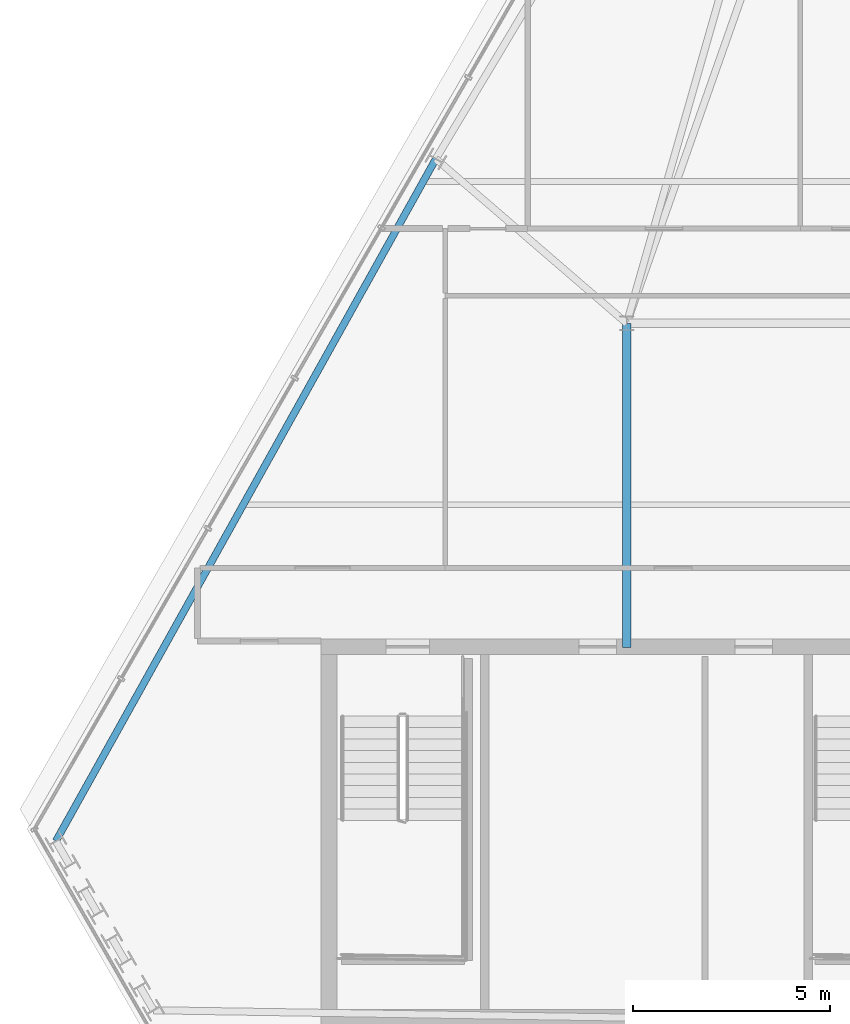
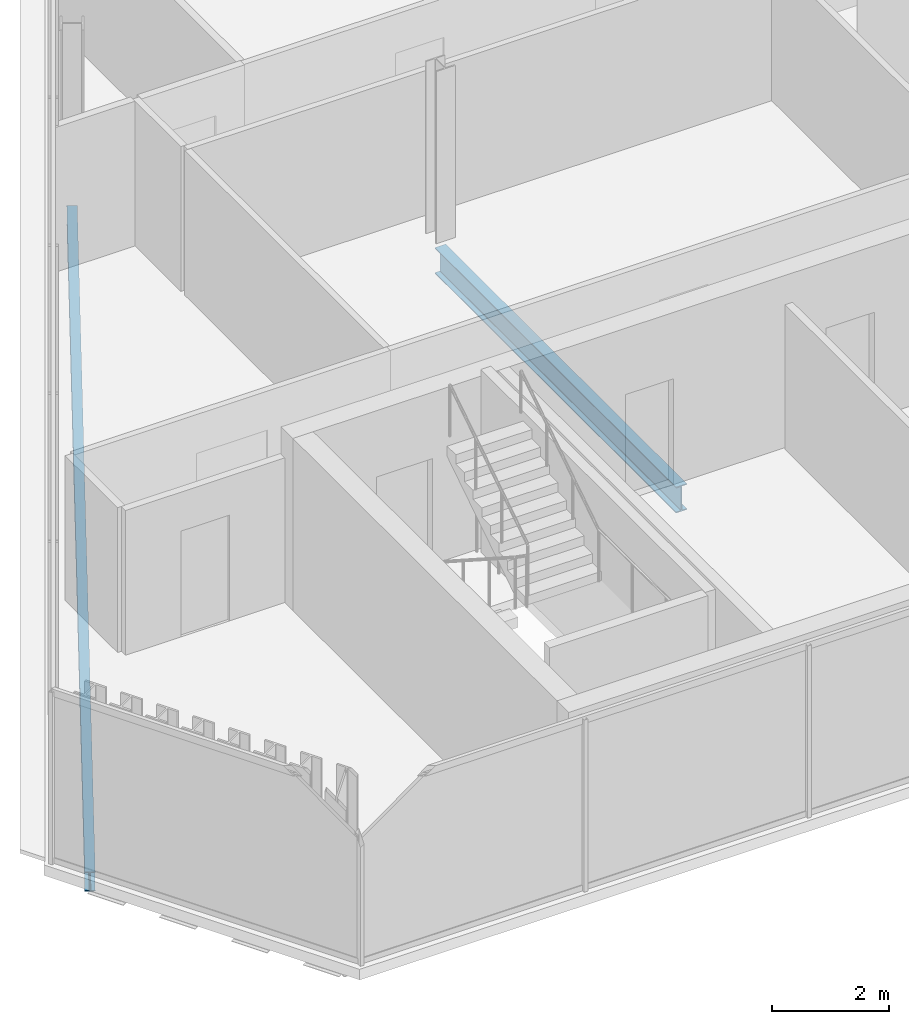
# One storey, part 6 of 32: 2 beams.
"""IFC4 building model written with IfcOpenShell, lengths in metres."""

from ifc_helpers import new_model, si_unit, direction, frame, origin, origin_2d, place, context, subcontext, project, spatial, i_section, extrude, material, material_profile, profile_set, type_object, element, save


model = new_model("IFC4")

# Units and contexts
model_context = context("Model", 3, precision=1e-05, world=origin(), true_north=direction((0.0, 1.0)))
body_context = subcontext(model_context, "Body", "Model", "MODEL_VIEW")
ifc_project = project(units=[si_unit("LENGTHUNIT", "METRE"), si_unit("AREAUNIT", "SQUARE_METRE"), si_unit("VOLUMEUNIT", "CUBIC_METRE"), si_unit("PLANEANGLEUNIT", "RADIAN"), si_unit("MASSUNIT", "GRAM", prefix="KILO")], contexts=[model_context])

# Site, building, storey
site_placement = place(None, origin())
site = spatial("IfcSite", under=ifc_project, at=site_placement, CompositionType="ELEMENT")
building_placement = place(site_placement, origin())
building = spatial("IfcBuilding", under=site, at=building_placement, Name="Ndaravel Arena Tower", CompositionType="ELEMENT")
storey_placement = place(building_placement, frame((0.0, 0.0, 252.199951171875)))
storey = spatial("IfcBuildingStorey", under=building, at=storey_placement, Name="L61", CompositionType="ELEMENT", Elevation=252.199951171875)

# Beams
ifc_material_1 = material(Name="Steel S355", Category="steel")
ifc_material_profile_1 = material_profile(ifc_material_1, i_section(OverallWidth=0.210693359375, OverallDepth=0.53955078125, WebThickness=0.01171875, FlangeThickness=0.018798828125, FilletRadius=0.0126953125, at=origin_2d()), Name="UB 533x210x109")
ifc_profile_set_1 = profile_set([ifc_material_profile_1], Name="Steel S355")
beam_type_1 = type_object("IfcBeamType", Name="BM-GIRD-UB533", PredefinedType="BEAM", material=ifc_profile_set_1)
beam_1_placement = place(storey_placement, frame((34.199951171875, 14.97998046875, -0.48974609375), z_axis=(0.0, 1.0, 0.0), x_axis=(-1.0, 0.0, 0.0)))
element("IfcBeam", 1, at=beam_1_placement, inside=storey, type_object=beam_type_1, Name="L61 Spine Link Girder SLG-01", PredefinedType="BEAM", context=body_context, shape_type="SweptSolid", body=[
    extrude(i_section(OverallWidth=0.210693359375, OverallDepth=0.53955078125, WebThickness=0.01171875, FlangeThickness=0.018798828125, FilletRadius=0.0126953125, at=origin_2d()), origin(), (0.0, 0.0, 1.0), 8.219970703125),
])
ifc_material_2 = material(Name="Steel S355", Category="steel")
ifc_material_profile_2 = material_profile(ifc_material_2, i_section(OverallWidth=0.179931640625, OverallDepth=0.39990234375, WebThickness=0.008544921875, FlangeThickness=0.013427734375, FilletRadius=0.02099609375, at=origin_2d()), Name="IPE 400")
ifc_profile_set_2 = profile_set([ifc_material_profile_2], Name="Steel S355")
beam_type_2 = type_object("IfcBeamType", Name="BM-SPAN-IPE400", PredefinedType="SPANDREL", material=ifc_profile_set_2)
beam_2_placement = place(storey_placement, frame((29.362060546875, 27.36962890625, -0.419921875), z_axis=(-0.486544183945, -0.873655971804, 0.0), x_axis=(0.873655971804, -0.486544183945, 0.0)))
element("IfcBeam", 2, at=beam_2_placement, inside=storey, type_object=beam_type_2, Name="L61 Perimeter Spandrel Beam SP-19", PredefinedType="SPANDREL", context=body_context, shape_type="SweptSolid", body=[
    extrude(i_section(OverallWidth=0.179931640625, OverallDepth=0.39990234375, WebThickness=0.008544921875, FlangeThickness=0.013427734375, FilletRadius=0.02099609375, at=origin_2d()), origin(), (0.0, 0.0, 1.0), 19.79736328125),
])

save(model, "model.ifc")
